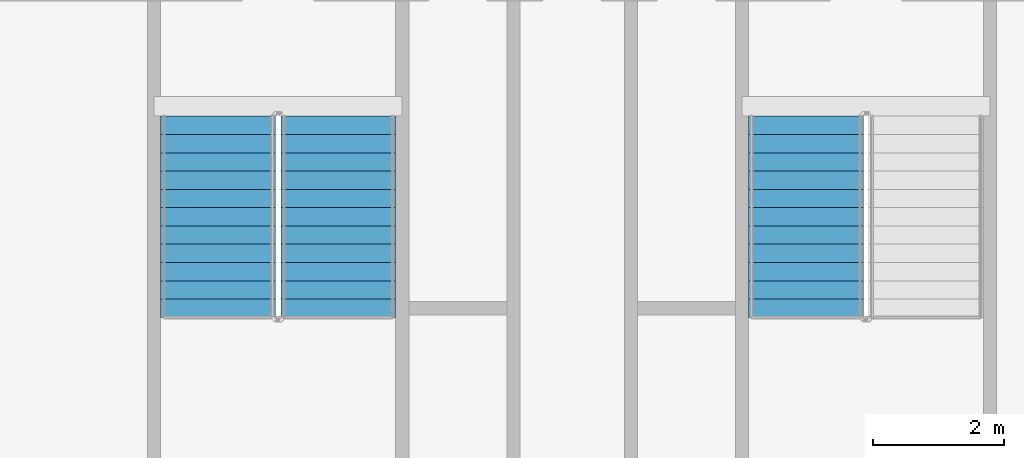
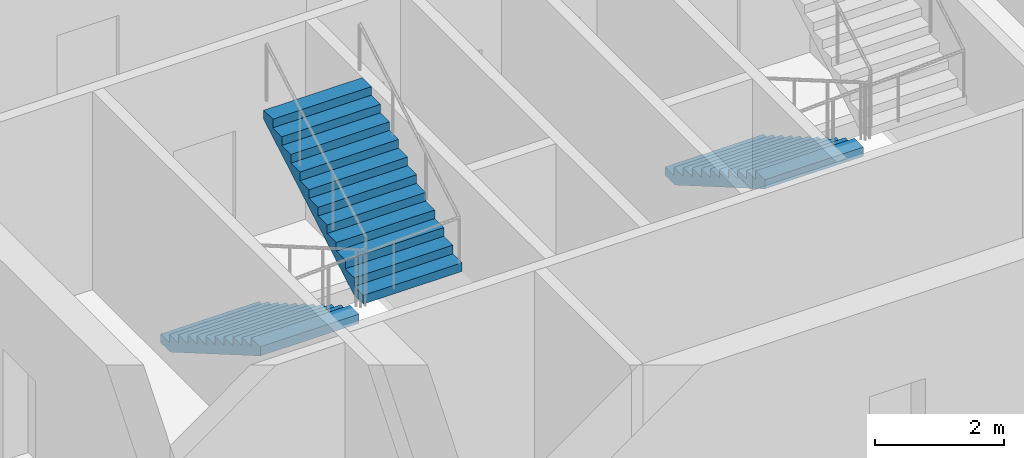
# One storey, part 14 of 21: 3 stair flights, 2 elements without a shape of their own.
"""IFC4 building model written with IfcOpenShell, lengths in metres."""

from ifc_helpers import new_model, si_unit, direction, frame, origin, place, context, subcontext, project, spatial, faceted_brep, material, type_object, element, aggregate, save


model = new_model("IFC4")

# Units and contexts
model_context = context("Model", 3, precision=1e-05, world=origin(), true_north=direction((0.0, 1.0)))
body_context = subcontext(model_context, "Body", "Model", "MODEL_VIEW")
ifc_project = project(units=[si_unit("LENGTHUNIT", "METRE"), si_unit("AREAUNIT", "SQUARE_METRE"), si_unit("VOLUMEUNIT", "CUBIC_METRE"), si_unit("PLANEANGLEUNIT", "RADIAN"), si_unit("MASSUNIT", "GRAM", prefix="KILO")], contexts=[model_context])

# Site, building, storey
site_placement = place(None, origin())
site = spatial("IfcSite", under=ifc_project, at=site_placement, CompositionType="ELEMENT")
building_placement = place(site_placement, origin())
building = spatial("IfcBuilding", under=site, at=building_placement, Name="Tarsis Ring Headquarters", CompositionType="ELEMENT")
storey_placement = place(building_placement, frame((0.0, 0.0, 331.39990234375)))
storey = spatial("IfcBuildingStorey", under=building, at=storey_placement, Name="L78", CompositionType="ELEMENT", Elevation=331.39990234375)

# Stair, stair flights
ifc_material_1 = material(Name="Core stair 1760")
stair_type = type_object("IfcStairType", Name="Core stair 1760", PredefinedType="HALF_TURN_STAIR", material=ifc_material_1)
stair_1_placement = place(storey_placement, origin())
stair_1 = element("IfcStair", 1, at=stair_1_placement, inside=storey, type_object=stair_type, Name="L78 Exit stair C", PredefinedType="HALF_TURN_STAIR")
ifc_material_2 = material(Name="Concrete C40/50", Category="concrete")
stair_flight_type = type_object("IfcStairFlightType", Name="Core stair flight 1760", PredefinedType="STRAIGHT", material=ifc_material_2)
stair_flight_1_placement = place(storey_placement, frame((-5.419921875, -3.659912109375, 0.0), z_axis=(0.0, 0.0, 1.0), x_axis=(0.0, -1.0, 0.0)))
stair_flight_1 = element("IfcStairFlight", 2, at=stair_flight_1_placement, type_object=stair_flight_type, Name="Stair ST3 flight 1", NumberOfRisers=12, NumberOfTreads=11, PredefinedType="STRAIGHT", RiserHeight=0.1625, TreadLength=0.28, context=body_context, shape_type="Brep", body=[
    faceted_brep([(0.0, 0.8798828125, 0.0), (0.0, 0.8798828125, 0.16259765625), (0.280029296875, 0.8798828125, 0.16259765625), (0.280029296875, 0.8798828125, 0.324951171875), (0.56005859375, 0.8798828125, 0.324951171875), (0.56005859375, 0.8798828125, 0.487548828125), (0.840087890625, 0.8798828125, 0.487548828125), (0.840087890625, 0.8798828125, 0.64990234375), (1.1201171875, 0.8798828125, 0.64990234375), (1.1201171875, 0.8798828125, 0.8125), (1.39990234375, 0.8798828125, 0.8125), (1.39990234375, 0.8798828125, 0.97509765625), (1.679931640625, 0.8798828125, 0.97509765625), (1.679931640625, 0.8798828125, 1.137451171875), (1.9599609375, 0.8798828125, 1.137451171875), (1.9599609375, 0.8798828125, 1.300048828125), (2.239990234375, 0.8798828125, 1.300048828125), (2.239990234375, 0.8798828125, 1.46240234375), (2.52001953125, 0.8798828125, 1.46240234375), (2.52001953125, 0.8798828125, 1.625), (2.800048828125, 0.8798828125, 1.625), (2.800048828125, 0.8798828125, 1.78759765625), (3.080078125, 0.8798828125, 1.78759765625), (3.080078125, 0.8798828125, 1.6142578125), (0.298583984375, 0.8798828125, 0.0), (0.298583984375, -0.8798828125, 0.0), (3.080078125, -0.8798828125, 1.6142578125), (3.080078125, -0.8798828125, 1.78759765625), (2.800048828125, -0.8798828125, 1.78759765625), (2.800048828125, -0.8798828125, 1.625), (2.52001953125, -0.8798828125, 1.625), (2.52001953125, -0.8798828125, 1.46240234375), (2.239990234375, -0.8798828125, 1.46240234375), (2.239990234375, -0.8798828125, 1.300048828125), (1.9599609375, -0.8798828125, 1.300048828125), (1.9599609375, -0.8798828125, 1.137451171875), (1.679931640625, -0.8798828125, 1.137451171875), (1.679931640625, -0.8798828125, 0.97509765625), (1.39990234375, -0.8798828125, 0.97509765625), (1.39990234375, -0.8798828125, 0.8125), (1.1201171875, -0.8798828125, 0.8125), (1.1201171875, -0.8798828125, 0.64990234375), (0.840087890625, -0.8798828125, 0.64990234375), (0.840087890625, -0.8798828125, 0.487548828125), (0.56005859375, -0.8798828125, 0.487548828125), (0.56005859375, -0.8798828125, 0.324951171875), (0.280029296875, -0.8798828125, 0.324951171875), (0.280029296875, -0.8798828125, 0.16259765625), (0.0, -0.8798828125, 0.16259765625), (0.0, -0.8798828125, 0.0), (0.0, -0.43994140625, 0.16259765625), (0.0, -0.43994140625, 0.0), (0.0, 0.0, 0.16259765625), (0.0, 0.0, 0.0), (0.0, 0.43994140625, 0.16259765625), (0.0, 0.43994140625, 0.0), (0.280029296875, -0.43994140625, 0.16259765625), (0.280029296875, 0.0, 0.16259765625), (0.280029296875, 0.43994140625, 0.16259765625), (0.280029296875, -0.43994140625, 0.324951171875), (0.280029296875, 0.0, 0.324951171875), (0.280029296875, 0.43994140625, 0.324951171875), (0.56005859375, -0.43994140625, 0.324951171875), (0.56005859375, 0.0, 0.324951171875), (0.56005859375, 0.43994140625, 0.324951171875), (0.56005859375, -0.43994140625, 0.487548828125), (0.56005859375, 0.0, 0.487548828125), (0.56005859375, 0.43994140625, 0.487548828125), (0.840087890625, -0.43994140625, 0.487548828125), (0.840087890625, 0.0, 0.487548828125), (0.840087890625, 0.43994140625, 0.487548828125), (0.840087890625, -0.43994140625, 0.64990234375), (0.840087890625, 0.0, 0.64990234375), (0.840087890625, 0.43994140625, 0.64990234375), (1.1201171875, -0.43994140625, 0.64990234375), (1.1201171875, 0.0, 0.64990234375), (1.1201171875, 0.43994140625, 0.64990234375), (1.1201171875, -0.43994140625, 0.8125), (1.1201171875, 0.0, 0.8125), (1.1201171875, 0.43994140625, 0.8125), (1.39990234375, -0.43994140625, 0.8125), (1.39990234375, 0.0, 0.8125), (1.39990234375, 0.43994140625, 0.8125), (1.39990234375, -0.43994140625, 0.97509765625), (1.39990234375, 0.0, 0.97509765625), (1.39990234375, 0.43994140625, 0.97509765625), (1.679931640625, -0.43994140625, 0.97509765625), (1.679931640625, 0.0, 0.97509765625), (1.679931640625, 0.43994140625, 0.97509765625), (1.679931640625, -0.43994140625, 1.137451171875), (1.679931640625, 0.0, 1.137451171875), (1.679931640625, 0.43994140625, 1.137451171875), (1.9599609375, -0.43994140625, 1.137451171875), (1.9599609375, 0.0, 1.137451171875), (1.9599609375, 0.43994140625, 1.137451171875), (1.9599609375, -0.43994140625, 1.300048828125), (1.9599609375, 0.0, 1.300048828125), (1.9599609375, 0.43994140625, 1.300048828125), (2.239990234375, -0.43994140625, 1.300048828125), (2.239990234375, 0.0, 1.300048828125), (2.239990234375, 0.43994140625, 1.300048828125), (2.239990234375, -0.43994140625, 1.46240234375), (2.239990234375, 0.0, 1.46240234375), (2.239990234375, 0.43994140625, 1.46240234375), (2.52001953125, -0.43994140625, 1.46240234375), (2.52001953125, 0.0, 1.46240234375), (2.52001953125, 0.43994140625, 1.46240234375), (2.52001953125, -0.43994140625, 1.625), (2.52001953125, 0.0, 1.625), (2.52001953125, 0.43994140625, 1.625), (2.800048828125, -0.43994140625, 1.625), (2.800048828125, 0.0, 1.625), (2.800048828125, 0.43994140625, 1.625), (2.800048828125, -0.43994140625, 1.78759765625), (2.800048828125, 0.0, 1.78759765625), (2.800048828125, 0.43994140625, 1.78759765625), (3.080078125, -0.43994140625, 1.78759765625), (3.080078125, 0.0, 1.78759765625), (3.080078125, 0.43994140625, 1.78759765625), (3.080078125, -0.43994140625, 1.6142578125), (3.080078125, 0.0, 1.6142578125), (3.080078125, 0.43994140625, 1.6142578125), (0.298583984375, -0.43994140625, 0.0), (0.298583984375, 0.0, 0.0), (0.298583984375, 0.43994140625, 0.0)], [[[0, 1, 2, 3, 4, 5, 6, 7, 8, 9, 10, 11, 12, 13, 14, 15, 16, 17, 18, 19, 20, 21, 22, 23, 24]], [[25, 26, 27, 28, 29, 30, 31, 32, 33, 34, 35, 36, 37, 38, 39, 40, 41, 42, 43, 44, 45, 46, 47, 48, 49]], [[49, 48, 50, 51]], [[51, 50, 52, 53]], [[53, 52, 54, 55]], [[55, 54, 1, 0]], [[48, 47, 56, 50]], [[50, 56, 57, 52]], [[52, 57, 58, 54]], [[54, 58, 2, 1]], [[47, 46, 59, 56]], [[56, 59, 60, 57]], [[57, 60, 61, 58]], [[58, 61, 3, 2]], [[46, 45, 62, 59]], [[59, 62, 63, 60]], [[60, 63, 64, 61]], [[61, 64, 4, 3]], [[45, 44, 65, 62]], [[62, 65, 66, 63]], [[63, 66, 67, 64]], [[64, 67, 5, 4]], [[44, 43, 68, 65]], [[65, 68, 69, 66]], [[66, 69, 70, 67]], [[67, 70, 6, 5]], [[43, 42, 71, 68]], [[68, 71, 72, 69]], [[69, 72, 73, 70]], [[70, 73, 7, 6]], [[42, 41, 74, 71]], [[71, 74, 75, 72]], [[72, 75, 76, 73]], [[73, 76, 8, 7]], [[41, 40, 77, 74]], [[74, 77, 78, 75]], [[75, 78, 79, 76]], [[76, 79, 9, 8]], [[40, 39, 80, 77]], [[77, 80, 81, 78]], [[78, 81, 82, 79]], [[79, 82, 10, 9]], [[39, 38, 83, 80]], [[80, 83, 84, 81]], [[81, 84, 85, 82]], [[82, 85, 11, 10]], [[38, 37, 86, 83]], [[83, 86, 87, 84]], [[84, 87, 88, 85]], [[85, 88, 12, 11]], [[37, 36, 89, 86]], [[86, 89, 90, 87]], [[87, 90, 91, 88]], [[88, 91, 13, 12]], [[36, 35, 92, 89]], [[89, 92, 93, 90]], [[90, 93, 94, 91]], [[91, 94, 14, 13]], [[35, 34, 95, 92]], [[92, 95, 96, 93]], [[93, 96, 97, 94]], [[94, 97, 15, 14]], [[34, 33, 98, 95]], [[95, 98, 99, 96]], [[96, 99, 100, 97]], [[97, 100, 16, 15]], [[33, 32, 101, 98]], [[98, 101, 102, 99]], [[99, 102, 103, 100]], [[100, 103, 17, 16]], [[32, 31, 104, 101]], [[101, 104, 105, 102]], [[102, 105, 106, 103]], [[103, 106, 18, 17]], [[31, 30, 107, 104]], [[104, 107, 108, 105]], [[105, 108, 109, 106]], [[106, 109, 19, 18]], [[30, 29, 110, 107]], [[107, 110, 111, 108]], [[108, 111, 112, 109]], [[109, 112, 20, 19]], [[29, 28, 113, 110]], [[110, 113, 114, 111]], [[111, 114, 115, 112]], [[112, 115, 21, 20]], [[28, 27, 116, 113]], [[113, 116, 117, 114]], [[114, 117, 118, 115]], [[115, 118, 22, 21]], [[27, 26, 119, 116]], [[116, 119, 120, 117]], [[117, 120, 121, 118]], [[118, 121, 23, 22]], [[26, 25, 122, 119]], [[119, 122, 123, 120]], [[120, 123, 124, 121]], [[121, 124, 24, 23]], [[25, 49, 51, 122]], [[122, 51, 53, 123]], [[123, 53, 55, 124]], [[124, 55, 0, 24]]]),
])
stair_flight_2_placement = place(storey_placement, frame((-3.580078125, -6.739990234375, 1.9501953125), z_axis=(0.0, 0.0, 1.0), x_axis=(0.0, 1.0, 0.0)))
stair_flight_2 = element("IfcStairFlight", 3, at=stair_flight_2_placement, type_object=stair_flight_type, Name="Stair ST3 flight 2", NumberOfRisers=12, NumberOfTreads=11, PredefinedType="STRAIGHT", RiserHeight=0.1625, TreadLength=0.28, context=body_context, shape_type="Brep", body=[
    faceted_brep([(0.0, 0.8798828125, 0.0), (0.0, 0.8798828125, 0.16259765625), (0.280029296875, 0.8798828125, 0.16259765625), (0.280029296875, 0.8798828125, 0.324951171875), (0.56005859375, 0.8798828125, 0.324951171875), (0.56005859375, 0.8798828125, 0.487548828125), (0.840087890625, 0.8798828125, 0.487548828125), (0.840087890625, 0.8798828125, 0.64990234375), (1.1201171875, 0.8798828125, 0.64990234375), (1.1201171875, 0.8798828125, 0.8125), (1.39990234375, 0.8798828125, 0.8125), (1.39990234375, 0.8798828125, 0.97509765625), (1.679931640625, 0.8798828125, 0.97509765625), (1.679931640625, 0.8798828125, 1.137451171875), (1.9599609375, 0.8798828125, 1.137451171875), (1.9599609375, 0.8798828125, 1.300048828125), (2.239990234375, 0.8798828125, 1.300048828125), (2.239990234375, 0.8798828125, 1.46240234375), (2.52001953125, 0.8798828125, 1.46240234375), (2.52001953125, 0.8798828125, 1.625), (2.800048828125, 0.8798828125, 1.625), (2.800048828125, 0.8798828125, 1.78759765625), (3.080078125, 0.8798828125, 1.78759765625), (3.080078125, 0.8798828125, 1.6142578125), (0.298583984375, 0.8798828125, 0.0), (0.298583984375, -0.8798828125, 0.0), (3.080078125, -0.8798828125, 1.6142578125), (3.080078125, -0.8798828125, 1.78759765625), (2.800048828125, -0.8798828125, 1.78759765625), (2.800048828125, -0.8798828125, 1.625), (2.52001953125, -0.8798828125, 1.625), (2.52001953125, -0.8798828125, 1.46240234375), (2.239990234375, -0.8798828125, 1.46240234375), (2.239990234375, -0.8798828125, 1.300048828125), (1.9599609375, -0.8798828125, 1.300048828125), (1.9599609375, -0.8798828125, 1.137451171875), (1.679931640625, -0.8798828125, 1.137451171875), (1.679931640625, -0.8798828125, 0.97509765625), (1.39990234375, -0.8798828125, 0.97509765625), (1.39990234375, -0.8798828125, 0.8125), (1.1201171875, -0.8798828125, 0.8125), (1.1201171875, -0.8798828125, 0.64990234375), (0.840087890625, -0.8798828125, 0.64990234375), (0.840087890625, -0.8798828125, 0.487548828125), (0.56005859375, -0.8798828125, 0.487548828125), (0.56005859375, -0.8798828125, 0.324951171875), (0.280029296875, -0.8798828125, 0.324951171875), (0.280029296875, -0.8798828125, 0.16259765625), (0.0, -0.8798828125, 0.16259765625), (0.0, -0.8798828125, 0.0), (0.0, -0.43994140625, 0.16259765625), (0.0, -0.43994140625, 0.0), (0.0, 0.0, 0.16259765625), (0.0, 0.0, 0.0), (0.0, 0.43994140625, 0.16259765625), (0.0, 0.43994140625, 0.0), (0.280029296875, -0.43994140625, 0.16259765625), (0.280029296875, 0.0, 0.16259765625), (0.280029296875, 0.43994140625, 0.16259765625), (0.280029296875, -0.43994140625, 0.324951171875), (0.280029296875, 0.0, 0.324951171875), (0.280029296875, 0.43994140625, 0.324951171875), (0.56005859375, -0.43994140625, 0.324951171875), (0.56005859375, 0.0, 0.324951171875), (0.56005859375, 0.43994140625, 0.324951171875), (0.56005859375, -0.43994140625, 0.487548828125), (0.56005859375, 0.0, 0.487548828125), (0.56005859375, 0.43994140625, 0.487548828125), (0.840087890625, -0.43994140625, 0.487548828125), (0.840087890625, 0.0, 0.487548828125), (0.840087890625, 0.43994140625, 0.487548828125), (0.840087890625, -0.43994140625, 0.64990234375), (0.840087890625, 0.0, 0.64990234375), (0.840087890625, 0.43994140625, 0.64990234375), (1.1201171875, -0.43994140625, 0.64990234375), (1.1201171875, 0.0, 0.64990234375), (1.1201171875, 0.43994140625, 0.64990234375), (1.1201171875, -0.43994140625, 0.8125), (1.1201171875, 0.0, 0.8125), (1.1201171875, 0.43994140625, 0.8125), (1.39990234375, -0.43994140625, 0.8125), (1.39990234375, 0.0, 0.8125), (1.39990234375, 0.43994140625, 0.8125), (1.39990234375, -0.43994140625, 0.97509765625), (1.39990234375, 0.0, 0.97509765625), (1.39990234375, 0.43994140625, 0.97509765625), (1.679931640625, -0.43994140625, 0.97509765625), (1.679931640625, 0.0, 0.97509765625), (1.679931640625, 0.43994140625, 0.97509765625), (1.679931640625, -0.43994140625, 1.137451171875), (1.679931640625, 0.0, 1.137451171875), (1.679931640625, 0.43994140625, 1.137451171875), (1.9599609375, -0.43994140625, 1.137451171875), (1.9599609375, 0.0, 1.137451171875), (1.9599609375, 0.43994140625, 1.137451171875), (1.9599609375, -0.43994140625, 1.300048828125), (1.9599609375, 0.0, 1.300048828125), (1.9599609375, 0.43994140625, 1.300048828125), (2.239990234375, -0.43994140625, 1.300048828125), (2.239990234375, 0.0, 1.300048828125), (2.239990234375, 0.43994140625, 1.300048828125), (2.239990234375, -0.43994140625, 1.46240234375), (2.239990234375, 0.0, 1.46240234375), (2.239990234375, 0.43994140625, 1.46240234375), (2.52001953125, -0.43994140625, 1.46240234375), (2.52001953125, 0.0, 1.46240234375), (2.52001953125, 0.43994140625, 1.46240234375), (2.52001953125, -0.43994140625, 1.625), (2.52001953125, 0.0, 1.625), (2.52001953125, 0.43994140625, 1.625), (2.800048828125, -0.43994140625, 1.625), (2.800048828125, 0.0, 1.625), (2.800048828125, 0.43994140625, 1.625), (2.800048828125, -0.43994140625, 1.78759765625), (2.800048828125, 0.0, 1.78759765625), (2.800048828125, 0.43994140625, 1.78759765625), (3.080078125, -0.43994140625, 1.78759765625), (3.080078125, 0.0, 1.78759765625), (3.080078125, 0.43994140625, 1.78759765625), (3.080078125, -0.43994140625, 1.6142578125), (3.080078125, 0.0, 1.6142578125), (3.080078125, 0.43994140625, 1.6142578125), (0.298583984375, -0.43994140625, 0.0), (0.298583984375, 0.0, 0.0), (0.298583984375, 0.43994140625, 0.0)], [[[0, 1, 2, 3, 4, 5, 6, 7, 8, 9, 10, 11, 12, 13, 14, 15, 16, 17, 18, 19, 20, 21, 22, 23, 24]], [[25, 26, 27, 28, 29, 30, 31, 32, 33, 34, 35, 36, 37, 38, 39, 40, 41, 42, 43, 44, 45, 46, 47, 48, 49]], [[49, 48, 50, 51]], [[51, 50, 52, 53]], [[53, 52, 54, 55]], [[55, 54, 1, 0]], [[48, 47, 56, 50]], [[50, 56, 57, 52]], [[52, 57, 58, 54]], [[54, 58, 2, 1]], [[47, 46, 59, 56]], [[56, 59, 60, 57]], [[57, 60, 61, 58]], [[58, 61, 3, 2]], [[46, 45, 62, 59]], [[59, 62, 63, 60]], [[60, 63, 64, 61]], [[61, 64, 4, 3]], [[45, 44, 65, 62]], [[62, 65, 66, 63]], [[63, 66, 67, 64]], [[64, 67, 5, 4]], [[44, 43, 68, 65]], [[65, 68, 69, 66]], [[66, 69, 70, 67]], [[67, 70, 6, 5]], [[43, 42, 71, 68]], [[68, 71, 72, 69]], [[69, 72, 73, 70]], [[70, 73, 7, 6]], [[42, 41, 74, 71]], [[71, 74, 75, 72]], [[72, 75, 76, 73]], [[73, 76, 8, 7]], [[41, 40, 77, 74]], [[74, 77, 78, 75]], [[75, 78, 79, 76]], [[76, 79, 9, 8]], [[40, 39, 80, 77]], [[77, 80, 81, 78]], [[78, 81, 82, 79]], [[79, 82, 10, 9]], [[39, 38, 83, 80]], [[80, 83, 84, 81]], [[81, 84, 85, 82]], [[82, 85, 11, 10]], [[38, 37, 86, 83]], [[83, 86, 87, 84]], [[84, 87, 88, 85]], [[85, 88, 12, 11]], [[37, 36, 89, 86]], [[86, 89, 90, 87]], [[87, 90, 91, 88]], [[88, 91, 13, 12]], [[36, 35, 92, 89]], [[89, 92, 93, 90]], [[90, 93, 94, 91]], [[91, 94, 14, 13]], [[35, 34, 95, 92]], [[92, 95, 96, 93]], [[93, 96, 97, 94]], [[94, 97, 15, 14]], [[34, 33, 98, 95]], [[95, 98, 99, 96]], [[96, 99, 100, 97]], [[97, 100, 16, 15]], [[33, 32, 101, 98]], [[98, 101, 102, 99]], [[99, 102, 103, 100]], [[100, 103, 17, 16]], [[32, 31, 104, 101]], [[101, 104, 105, 102]], [[102, 105, 106, 103]], [[103, 106, 18, 17]], [[31, 30, 107, 104]], [[104, 107, 108, 105]], [[105, 108, 109, 106]], [[106, 109, 19, 18]], [[30, 29, 110, 107]], [[107, 110, 111, 108]], [[108, 111, 112, 109]], [[109, 112, 20, 19]], [[29, 28, 113, 110]], [[110, 113, 114, 111]], [[111, 114, 115, 112]], [[112, 115, 21, 20]], [[28, 27, 116, 113]], [[113, 116, 117, 114]], [[114, 117, 118, 115]], [[115, 118, 22, 21]], [[27, 26, 119, 116]], [[116, 119, 120, 117]], [[117, 120, 121, 118]], [[118, 121, 23, 22]], [[26, 25, 122, 119]], [[119, 122, 123, 120]], [[120, 123, 124, 121]], [[121, 124, 24, 23]], [[25, 49, 51, 122]], [[122, 51, 53, 123]], [[123, 53, 55, 124]], [[124, 55, 0, 24]]]),
])
aggregate(stair_1, [stair_flight_1, stair_flight_2])

# Stair, stair flight
stair_2_placement = place(storey_placement, origin())
stair_2 = element("IfcStair", 4, at=stair_2_placement, inside=storey, type_object=stair_type, Name="L78 Exit stair D", PredefinedType="HALF_TURN_STAIR")
stair_flight_3_placement = place(storey_placement, frame((3.580078125, -3.659912109375, 0.0), z_axis=(0.0, 0.0, 1.0), x_axis=(0.0, -1.0, 0.0)))
stair_flight_3 = element("IfcStairFlight", 5, at=stair_flight_3_placement, type_object=stair_flight_type, Name="Stair ST4 flight 1", NumberOfRisers=12, NumberOfTreads=11, PredefinedType="STRAIGHT", RiserHeight=0.1625, TreadLength=0.28, context=body_context, shape_type="Brep", body=[
    faceted_brep([(0.0, 0.8798828125, 0.0), (0.0, 0.8798828125, 0.16259765625), (0.280029296875, 0.8798828125, 0.16259765625), (0.280029296875, 0.8798828125, 0.324951171875), (0.56005859375, 0.8798828125, 0.324951171875), (0.56005859375, 0.8798828125, 0.487548828125), (0.840087890625, 0.8798828125, 0.487548828125), (0.840087890625, 0.8798828125, 0.64990234375), (1.1201171875, 0.8798828125, 0.64990234375), (1.1201171875, 0.8798828125, 0.8125), (1.39990234375, 0.8798828125, 0.8125), (1.39990234375, 0.8798828125, 0.97509765625), (1.679931640625, 0.8798828125, 0.97509765625), (1.679931640625, 0.8798828125, 1.137451171875), (1.9599609375, 0.8798828125, 1.137451171875), (1.9599609375, 0.8798828125, 1.300048828125), (2.239990234375, 0.8798828125, 1.300048828125), (2.239990234375, 0.8798828125, 1.46240234375), (2.52001953125, 0.8798828125, 1.46240234375), (2.52001953125, 0.8798828125, 1.625), (2.800048828125, 0.8798828125, 1.625), (2.800048828125, 0.8798828125, 1.78759765625), (3.080078125, 0.8798828125, 1.78759765625), (3.080078125, 0.8798828125, 1.6142578125), (0.298583984375, 0.8798828125, 0.0), (0.298583984375, -0.8798828125, 0.0), (3.080078125, -0.8798828125, 1.6142578125), (3.080078125, -0.8798828125, 1.78759765625), (2.800048828125, -0.8798828125, 1.78759765625), (2.800048828125, -0.8798828125, 1.625), (2.52001953125, -0.8798828125, 1.625), (2.52001953125, -0.8798828125, 1.46240234375), (2.239990234375, -0.8798828125, 1.46240234375), (2.239990234375, -0.8798828125, 1.300048828125), (1.9599609375, -0.8798828125, 1.300048828125), (1.9599609375, -0.8798828125, 1.137451171875), (1.679931640625, -0.8798828125, 1.137451171875), (1.679931640625, -0.8798828125, 0.97509765625), (1.39990234375, -0.8798828125, 0.97509765625), (1.39990234375, -0.8798828125, 0.8125), (1.1201171875, -0.8798828125, 0.8125), (1.1201171875, -0.8798828125, 0.64990234375), (0.840087890625, -0.8798828125, 0.64990234375), (0.840087890625, -0.8798828125, 0.487548828125), (0.56005859375, -0.8798828125, 0.487548828125), (0.56005859375, -0.8798828125, 0.324951171875), (0.280029296875, -0.8798828125, 0.324951171875), (0.280029296875, -0.8798828125, 0.16259765625), (0.0, -0.8798828125, 0.16259765625), (0.0, -0.8798828125, 0.0), (0.0, -0.43994140625, 0.16259765625), (0.0, -0.43994140625, 0.0), (0.0, 0.0, 0.16259765625), (0.0, 0.0, 0.0), (0.0, 0.43994140625, 0.16259765625), (0.0, 0.43994140625, 0.0), (0.280029296875, -0.43994140625, 0.16259765625), (0.280029296875, 0.0, 0.16259765625), (0.280029296875, 0.43994140625, 0.16259765625), (0.280029296875, -0.43994140625, 0.324951171875), (0.280029296875, 0.0, 0.324951171875), (0.280029296875, 0.43994140625, 0.324951171875), (0.56005859375, -0.43994140625, 0.324951171875), (0.56005859375, 0.0, 0.324951171875), (0.56005859375, 0.43994140625, 0.324951171875), (0.56005859375, -0.43994140625, 0.487548828125), (0.56005859375, 0.0, 0.487548828125), (0.56005859375, 0.43994140625, 0.487548828125), (0.840087890625, -0.43994140625, 0.487548828125), (0.840087890625, 0.0, 0.487548828125), (0.840087890625, 0.43994140625, 0.487548828125), (0.840087890625, -0.43994140625, 0.64990234375), (0.840087890625, 0.0, 0.64990234375), (0.840087890625, 0.43994140625, 0.64990234375), (1.1201171875, -0.43994140625, 0.64990234375), (1.1201171875, 0.0, 0.64990234375), (1.1201171875, 0.43994140625, 0.64990234375), (1.1201171875, -0.43994140625, 0.8125), (1.1201171875, 0.0, 0.8125), (1.1201171875, 0.43994140625, 0.8125), (1.39990234375, -0.43994140625, 0.8125), (1.39990234375, 0.0, 0.8125), (1.39990234375, 0.43994140625, 0.8125), (1.39990234375, -0.43994140625, 0.97509765625), (1.39990234375, 0.0, 0.97509765625), (1.39990234375, 0.43994140625, 0.97509765625), (1.679931640625, -0.43994140625, 0.97509765625), (1.679931640625, 0.0, 0.97509765625), (1.679931640625, 0.43994140625, 0.97509765625), (1.679931640625, -0.43994140625, 1.137451171875), (1.679931640625, 0.0, 1.137451171875), (1.679931640625, 0.43994140625, 1.137451171875), (1.9599609375, -0.43994140625, 1.137451171875), (1.9599609375, 0.0, 1.137451171875), (1.9599609375, 0.43994140625, 1.137451171875), (1.9599609375, -0.43994140625, 1.300048828125), (1.9599609375, 0.0, 1.300048828125), (1.9599609375, 0.43994140625, 1.300048828125), (2.239990234375, -0.43994140625, 1.300048828125), (2.239990234375, 0.0, 1.300048828125), (2.239990234375, 0.43994140625, 1.300048828125), (2.239990234375, -0.43994140625, 1.46240234375), (2.239990234375, 0.0, 1.46240234375), (2.239990234375, 0.43994140625, 1.46240234375), (2.52001953125, -0.43994140625, 1.46240234375), (2.52001953125, 0.0, 1.46240234375), (2.52001953125, 0.43994140625, 1.46240234375), (2.52001953125, -0.43994140625, 1.625), (2.52001953125, 0.0, 1.625), (2.52001953125, 0.43994140625, 1.625), (2.800048828125, -0.43994140625, 1.625), (2.800048828125, 0.0, 1.625), (2.800048828125, 0.43994140625, 1.625), (2.800048828125, -0.43994140625, 1.78759765625), (2.800048828125, 0.0, 1.78759765625), (2.800048828125, 0.43994140625, 1.78759765625), (3.080078125, -0.43994140625, 1.78759765625), (3.080078125, 0.0, 1.78759765625), (3.080078125, 0.43994140625, 1.78759765625), (3.080078125, -0.43994140625, 1.6142578125), (3.080078125, 0.0, 1.6142578125), (3.080078125, 0.43994140625, 1.6142578125), (0.298583984375, -0.43994140625, 0.0), (0.298583984375, 0.0, 0.0), (0.298583984375, 0.43994140625, 0.0)], [[[0, 1, 2, 3, 4, 5, 6, 7, 8, 9, 10, 11, 12, 13, 14, 15, 16, 17, 18, 19, 20, 21, 22, 23, 24]], [[25, 26, 27, 28, 29, 30, 31, 32, 33, 34, 35, 36, 37, 38, 39, 40, 41, 42, 43, 44, 45, 46, 47, 48, 49]], [[49, 48, 50, 51]], [[51, 50, 52, 53]], [[53, 52, 54, 55]], [[55, 54, 1, 0]], [[48, 47, 56, 50]], [[50, 56, 57, 52]], [[52, 57, 58, 54]], [[54, 58, 2, 1]], [[47, 46, 59, 56]], [[56, 59, 60, 57]], [[57, 60, 61, 58]], [[58, 61, 3, 2]], [[46, 45, 62, 59]], [[59, 62, 63, 60]], [[60, 63, 64, 61]], [[61, 64, 4, 3]], [[45, 44, 65, 62]], [[62, 65, 66, 63]], [[63, 66, 67, 64]], [[64, 67, 5, 4]], [[44, 43, 68, 65]], [[65, 68, 69, 66]], [[66, 69, 70, 67]], [[67, 70, 6, 5]], [[43, 42, 71, 68]], [[68, 71, 72, 69]], [[69, 72, 73, 70]], [[70, 73, 7, 6]], [[42, 41, 74, 71]], [[71, 74, 75, 72]], [[72, 75, 76, 73]], [[73, 76, 8, 7]], [[41, 40, 77, 74]], [[74, 77, 78, 75]], [[75, 78, 79, 76]], [[76, 79, 9, 8]], [[40, 39, 80, 77]], [[77, 80, 81, 78]], [[78, 81, 82, 79]], [[79, 82, 10, 9]], [[39, 38, 83, 80]], [[80, 83, 84, 81]], [[81, 84, 85, 82]], [[82, 85, 11, 10]], [[38, 37, 86, 83]], [[83, 86, 87, 84]], [[84, 87, 88, 85]], [[85, 88, 12, 11]], [[37, 36, 89, 86]], [[86, 89, 90, 87]], [[87, 90, 91, 88]], [[88, 91, 13, 12]], [[36, 35, 92, 89]], [[89, 92, 93, 90]], [[90, 93, 94, 91]], [[91, 94, 14, 13]], [[35, 34, 95, 92]], [[92, 95, 96, 93]], [[93, 96, 97, 94]], [[94, 97, 15, 14]], [[34, 33, 98, 95]], [[95, 98, 99, 96]], [[96, 99, 100, 97]], [[97, 100, 16, 15]], [[33, 32, 101, 98]], [[98, 101, 102, 99]], [[99, 102, 103, 100]], [[100, 103, 17, 16]], [[32, 31, 104, 101]], [[101, 104, 105, 102]], [[102, 105, 106, 103]], [[103, 106, 18, 17]], [[31, 30, 107, 104]], [[104, 107, 108, 105]], [[105, 108, 109, 106]], [[106, 109, 19, 18]], [[30, 29, 110, 107]], [[107, 110, 111, 108]], [[108, 111, 112, 109]], [[109, 112, 20, 19]], [[29, 28, 113, 110]], [[110, 113, 114, 111]], [[111, 114, 115, 112]], [[112, 115, 21, 20]], [[28, 27, 116, 113]], [[113, 116, 117, 114]], [[114, 117, 118, 115]], [[115, 118, 22, 21]], [[27, 26, 119, 116]], [[116, 119, 120, 117]], [[117, 120, 121, 118]], [[118, 121, 23, 22]], [[26, 25, 122, 119]], [[119, 122, 123, 120]], [[120, 123, 124, 121]], [[121, 124, 24, 23]], [[25, 49, 51, 122]], [[122, 51, 53, 123]], [[123, 53, 55, 124]], [[124, 55, 0, 24]]]),
])
aggregate(stair_2, [stair_flight_3])

save(model, "model.ifc")
